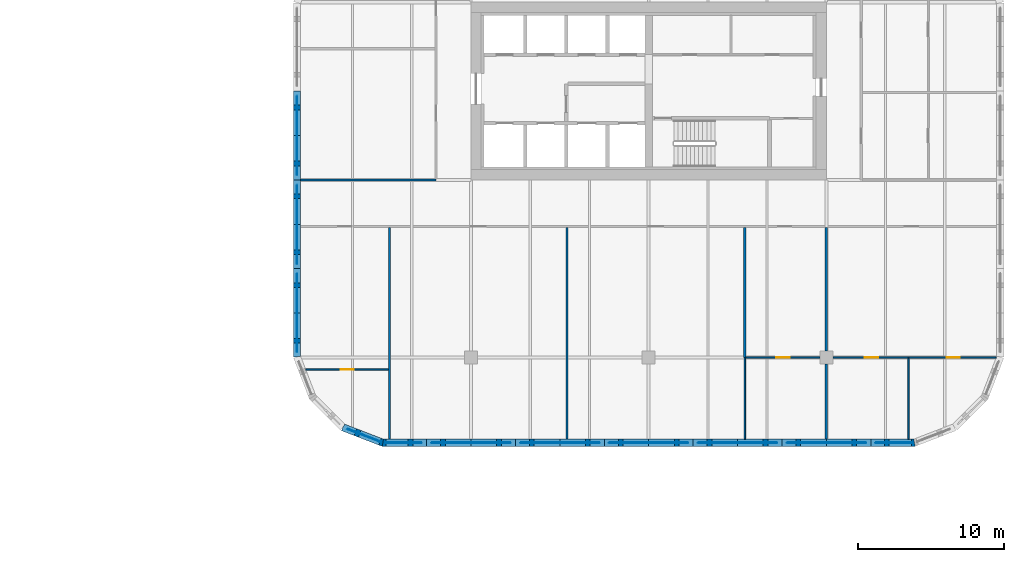
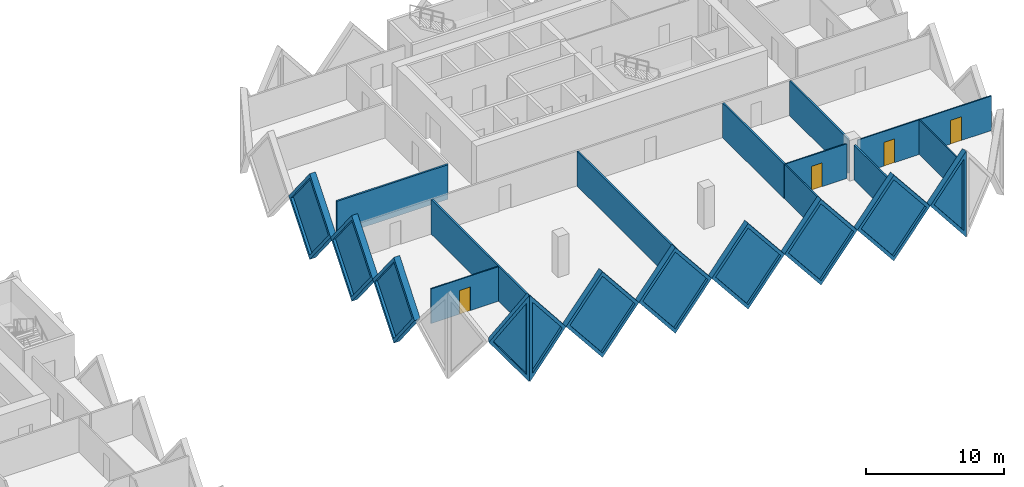
# One storey, part 11 of 18: 22 walls, 11 plates, 4 doors, 15 openings.
"""IFC4 building model written with IfcOpenShell, lengths in metres."""

from ifc_helpers import new_model, si_unit, direction, frame, frame_2d, origin, place, context, subcontext, project, spatial, polyline, rectangle, outline, extrude, faceted_brep, source, transform, mapped, material, layer, layer_set, type_object, element, fill, save


model = new_model("IFC4")

# Units and contexts
model_context = context("Model", 3, precision=1e-05, world=origin(), true_north=direction((0.0, 1.0)))
body_context = subcontext(model_context, "Body", "Model", "MODEL_VIEW")
ifc_project = project(units=[si_unit("LENGTHUNIT", "METRE"), si_unit("AREAUNIT", "SQUARE_METRE"), si_unit("VOLUMEUNIT", "CUBIC_METRE"), si_unit("PLANEANGLEUNIT", "RADIAN"), si_unit("MASSUNIT", "GRAM", prefix="KILO")], contexts=[model_context])

# Site, building, storey
site_placement = place(None, origin())
site = spatial("IfcSite", under=ifc_project, at=site_placement, CompositionType="ELEMENT")
building_placement = place(site_placement, origin())
building = spatial("IfcBuilding", under=site, at=building_placement, Name="Tessera Gate Towers", CompositionType="ELEMENT")
storey_placement = place(building_placement, frame((0.0, 0.0, 41.0)))
storey = spatial("IfcBuildingStorey", under=building, at=storey_placement, Name="L09", CompositionType="ELEMENT", Elevation=41.0)

# Walls
ifc_material_1 = material(Name="Gypsum board on steel studs, mineral wool", Category="steel")
ifc_layer_1 = layer(ifc_material_1, 0.14990234375)
ifc_layer_set_1 = layer_set([ifc_layer_1], Name="CORRIDOR WALL 150")
wall_type_1 = type_object("IfcWallType", Name="CORRIDOR WALL 150", PredefinedType="PARTITIONING", material=ifc_layer_set_1)
wall_1_placement = place(storey_placement, frame((85.89990234375, 36.60009765625, 0.0), z_axis=(0.0, 0.0, 1.0), x_axis=(1.0, 0.0, 0.0)))
element("IfcWall", 1, at=wall_1_placement, inside=storey, type_object=wall_type_1, Name="T2-L09-PW-012", PredefinedType="PARTITIONING", context=body_context, shape_type="SweptSolid", body=[
    extrude(rectangle(XDim=9.300048828125, YDim=0.14990234375, at=frame_2d((4.64990234375, 0.0))), origin(), (0.0, 0.0, 1.0), 3.06689453125),
])
ifc_material_2 = material(Name="Glass", Category="glass")
ifc_layer_2 = layer(ifc_material_2, 0.10009765625)
ifc_layer_set_2 = layer_set([ifc_layer_2], Name="GLAZED PARTITION 100")
wall_type_2 = type_object("IfcWallType", Name="GLAZED PARTITION 100", PredefinedType="PARTITIONING", material=ifc_layer_set_2)
wall_2_placement = place(storey_placement, frame((116.39990234375, 18.800048828125, 0.0), z_axis=(0.0, 0.0, 1.0), x_axis=(0.0, 1.0, 0.0)))
element("IfcWall", 2, at=wall_2_placement, inside=storey, type_object=wall_type_2, Name="T2-L09-PW-003", PredefinedType="PARTITIONING", context=body_context, shape_type="SweptSolid", body=[
    extrude(rectangle(XDim=5.598876953125, YDim=0.10009765625, at=frame_2d((2.79931640625, 0.0))), origin(), (0.0, 0.0, 1.0), 3.06689453125),
])

# Wall, opening, door
wall_3_placement = place(storey_placement, frame((121.549072265625, 24.39990234375, 0.0), z_axis=(0.0, 0.0, 1.0), x_axis=(-1.0, 0.0, 0.0)))
wall_3 = element("IfcWall", 3, at=wall_3_placement, inside=storey, type_object=wall_type_2, Name="T2-L09-PW-008", PredefinedType="PARTITIONING", context=body_context, shape_type="SweptSolid", body=[
    extrude(rectangle(XDim=5.072998046875, YDim=0.10009765625, at=frame_2d((2.53662109375, 0.0))), origin(), (0.0, 0.0, 1.0), 3.06689453125),
])
shared_shape_1 = source(origin(), body_context, "Body", "SweptSolid", [
    extrude(rectangle(XDim=0.89990234375, YDim=2.10009765625, at=frame_2d((0.449951171875, 1.050048828125))), frame((0.0, 0.06005859375, 0.0), z_axis=(0.0, -1.0, 0.0), x_axis=(1.0, 0.0, 0.0)), (0.0, 0.0, 1.0), 0.1201171875),
])
opening_1_placement = place(wall_3_placement, frame((2.072998046875, 0.0, 0.0)))
opening_1 = element("IfcOpeningElement", 4, at=opening_1_placement, cuts=wall_3, Name="Opening D690-B04-01", PredefinedType="OPENING", context=body_context, shape_type="MappedRepresentation", body=[
    mapped(shared_shape_1, transform((0.0, 0.0, 0.0), scale=1.0)),
])
ifc_material_3 = material(Name="Glass in aluminium frame", Category="aluminium")
door_type_1 = type_object("IfcDoorType", Name="GLAZED DOOR 900 NOT RATED", OperationType="NOTDEFINED", PredefinedType="DOOR", material=ifc_material_3)
shared_shape_2 = source(origin(), body_context, "Body", "SweptSolid", [
    extrude(rectangle(XDim=0.89990234375, YDim=2.10009765625, at=frame_2d((0.449951171875, 1.050048828125))), frame((0.0, 0.02490234375, 0.0), z_axis=(0.0, -1.0, 0.0), x_axis=(1.0, 0.0, 0.0)), (0.0, 0.0, 1.0), 0.050048828125),
])
door_1_placement = place(opening_1_placement, origin())
door_1 = element("IfcDoor", 5, at=door_1_placement, inside=storey, type_object=door_type_1, Name="T2-L09-PD-002", OperationType="SINGLE_SWING_RIGHT", OverallHeight=2.10009765625, OverallWidth=0.89990234375, PredefinedType="DOOR", context=body_context, shape_type="MappedRepresentation", body=[
    mapped(shared_shape_2, transform((0.0, 0.0, 0.0), scale=1.0)),
])
fill(opening_1, door_1)

# Wall
ifc_material_4 = material(Name="Gypsum board on steel studs", Category="steel")
ifc_layer_3 = layer(ifc_material_4, 0.10009765625)
ifc_layer_set_3 = layer_set([ifc_layer_3], Name="PARTITION 100")
wall_type_3 = type_object("IfcWallType", Name="PARTITION 100", PredefinedType="PARTITIONING", material=ifc_layer_set_3)
wall_4_placement = place(storey_placement, frame((127.652099609375, 18.800048828125, 0.0), z_axis=(0.0, 0.0, 1.0), x_axis=(0.0, 1.0, 0.0)))
element("IfcWall", 6, at=wall_4_placement, inside=storey, type_object=wall_type_3, Name="T2-L09-PW-005", PredefinedType="PARTITIONING", context=body_context, shape_type="SweptSolid", body=[
    extrude(rectangle(XDim=5.549072265625, YDim=0.10009765625, at=frame_2d((2.7744140625, 0.0))), origin(), (0.0, 0.0, 1.0), 3.06689453125),
])

# Wall, opening, door
wall_5_placement = place(storey_placement, frame((91.924072265625, 23.574951171875, 0.0), z_axis=(0.0, 0.0, 1.0), x_axis=(-1.0, 0.0, 0.0)))
wall_5 = element("IfcWall", 7, at=wall_5_placement, inside=storey, type_object=wall_type_3, Name="T2-L09-PW-006", PredefinedType="PARTITIONING", context=body_context, shape_type="SweptSolid", body=[
    extrude(rectangle(XDim=5.669921875, YDim=0.10009765625, at=frame_2d((2.8349609375, 0.0))), origin(), (0.0, 0.0, 1.0), 3.06689453125),
])
opening_2_placement = place(wall_5_placement, frame((2.369873046875, 0.0, 0.0)))
opening_2 = element("IfcOpeningElement", 8, at=opening_2_placement, cuts=wall_5, Name="Opening D190-B04-02", PredefinedType="OPENING", context=body_context, shape_type="MappedRepresentation", body=[
    mapped(shared_shape_1, transform((0.0, 0.0, 0.0), scale=1.0)),
])
ifc_material_5 = material(Name="Timber door leaf in steel frame", Category="steel")
door_type_2 = type_object("IfcDoorType", Name="INTERNAL DOOR 900 NOT RATED", OperationType="NOTDEFINED", PredefinedType="DOOR", material=ifc_material_5)
door_2_placement = place(opening_2_placement, origin())
door_2 = element("IfcDoor", 9, at=door_2_placement, inside=storey, type_object=door_type_2, Name="T2-L09-PD-006", OperationType="SINGLE_SWING_RIGHT", OverallHeight=2.10009765625, OverallWidth=0.89990234375, PredefinedType="DOOR", context=body_context, shape_type="MappedRepresentation", body=[
    mapped(shared_shape_2, transform((0.0, 0.0, 0.0), scale=1.0)),
])
fill(opening_2, door_2)

# Wall, openings, doors
wall_6_placement = place(storey_placement, frame((133.6640625, 24.39990234375, 0.0), z_axis=(0.0, 0.0, 1.0), x_axis=(-1.0, 0.0, 0.0)))
wall_6 = element("IfcWall", 10, at=wall_6_placement, inside=storey, type_object=wall_type_3, Name="T2-L09-PW-009", PredefinedType="PARTITIONING", context=body_context, shape_type="SweptSolid", body=[
    extrude(rectangle(XDim=11.213134765625, YDim=0.10009765625, at=frame_2d((5.6064453125, 0.0))), origin(), (0.0, 0.0, 1.0), 3.06689453125),
])
opening_3_placement = place(wall_6_placement, frame((8.113037109375, 0.0, 0.0)))
opening_3 = element("IfcOpeningElement", 11, at=opening_3_placement, cuts=wall_6, Name="Opening D190-B04-01", PredefinedType="OPENING", context=body_context, shape_type="MappedRepresentation", body=[
    mapped(shared_shape_1, transform((0.0, 0.0, 0.0), scale=1.0)),
])
opening_4_placement = place(wall_6_placement, frame((2.511962890625, 0.0, 0.0)))
opening_4 = element("IfcOpeningElement", 12, at=opening_4_placement, cuts=wall_6, Name="Opening D190-B04-03", PredefinedType="OPENING", context=body_context, shape_type="MappedRepresentation", body=[
    mapped(shared_shape_1, transform((0.0, 0.0, 0.0), scale=1.0)),
])
door_3_placement = place(opening_3_placement, origin())
door_3 = element("IfcDoor", 13, at=door_3_placement, inside=storey, type_object=door_type_2, Name="T2-L09-PD-003", OperationType="SINGLE_SWING_RIGHT", OverallHeight=2.10009765625, OverallWidth=0.89990234375, PredefinedType="DOOR", context=body_context, shape_type="MappedRepresentation", body=[
    mapped(shared_shape_2, transform((0.0, 0.0, 0.0), scale=1.0)),
])
fill(opening_3, door_3)
door_4_placement = place(opening_4_placement, origin())
door_4 = element("IfcDoor", 14, at=door_4_placement, inside=storey, type_object=door_type_2, Name="T2-L09-PD-008", OperationType="SINGLE_SWING_RIGHT", OverallHeight=2.10009765625, OverallWidth=0.89990234375, PredefinedType="DOOR", context=body_context, shape_type="MappedRepresentation", body=[
    mapped(shared_shape_2, transform((0.0, 0.0, 0.0), scale=1.0)),
])
fill(opening_4, door_4)

# Walls
ifc_material_6 = material(Name="Gypsum board on steel studs, mineral wool", Category="steel")
ifc_layer_4 = layer(ifc_material_6, 0.14990234375)
ifc_layer_set_4 = layer_set([ifc_layer_4], Name="TENANCY WALL 150")
wall_type_4 = type_object("IfcWallType", Name="TENANCY WALL 150", PredefinedType="PARTITIONING", material=ifc_layer_set_4)
for number, where, z_axis, x_axis, name in (
    (15, (92.0, 18.800048828125, 0.0), (0.0, 0.0, 1.0), (0.0, 1.0, 0.0), "T2-L09-PW-001"),
    (16, (104.199951171875, 18.800048828125, 0.0), (0.0, 0.0, 1.0), (0.0, 1.0, 0.0), "T2-L09-PW-002"),
):
    element("IfcWall", number, at=place(storey_placement, frame(where, z_axis=z_axis, x_axis=x_axis)), inside=storey, type_object=wall_type_4, Name=name, PredefinedType="PARTITIONING", context=body_context, shape_type="SweptSolid", body=[
        extrude(rectangle(XDim=14.52392578125, YDim=0.14990234375, at=frame_2d((7.261962890625, 0.0))), origin(), (0.0, 0.0, 1.0), 3.06689453125),
    ])
wall_7_placement = place(storey_placement, frame((122.0, 18.800048828125, 0.0), z_axis=(0.0, 0.0, 1.0), x_axis=(0.0, 1.0, 0.0)))
element("IfcWall", 17, at=wall_7_placement, inside=storey, type_object=wall_type_4, Name="T2-L09-PW-004", PredefinedType="PARTITIONING", context=body_context, shape_type="SweptSolid", body=[
    extrude(rectangle(XDim=5.14892578125, YDim=0.14990234375, at=frame_2d((2.574462890625, 0.0))), origin(), (0.0, 0.0, 1.0), 3.06689453125),
])
wall_8_placement = place(storey_placement, frame((116.39990234375, 24.39990234375, 0.0), z_axis=(0.0, 0.0, 1.0), x_axis=(0.0, 1.0, 0.0)))
element("IfcWall", 18, at=wall_8_placement, inside=storey, type_object=wall_type_4, Name="T2-L09-PW-007", PredefinedType="PARTITIONING", context=body_context, shape_type="SweptSolid", body=[
    extrude(rectangle(XDim=8.924072265625, YDim=0.14990234375, at=frame_2d((4.4619140625, 0.0))), origin(), (0.0, 0.0, 1.0), 3.06689453125),
])
wall_9_placement = place(storey_placement, frame((122.0, 24.85107421875, 0.0), z_axis=(0.0, 0.0, 1.0), x_axis=(0.0, 1.0, 0.0)))
element("IfcWall", 19, at=wall_9_placement, inside=storey, type_object=wall_type_4, Name="T2-L09-PW-010", PredefinedType="PARTITIONING", context=body_context, shape_type="SweptSolid", body=[
    extrude(rectangle(XDim=8.472900390625, YDim=0.14990234375, at=frame_2d((4.236328125, 0.0))), origin(), (0.0, 0.0, 1.0), 3.06689453125),
])

# Wall, opening, plate
ifc_material_7 = material(Name="Precast concrete C60/75 white", Category="concrete")
ifc_layer_5 = layer(ifc_material_7, 0.5)
ifc_layer_set_5 = layer_set([ifc_layer_5], Name="TS1 tessera")
wall_type_5 = type_object("IfcWallType", Name="TS1 tessera", PredefinedType="SOLIDWALL", material=ifc_layer_set_5)
shared_shape_3 = source(origin(), body_context, "Body", "Brep", [
    faceted_brep([(3.050048828125, -0.25, 0.0), (6.099853515625, -0.25, 3.7998046875), (6.099853515625, -0.25, 3.80029296875), (3.050048828125, -0.25, 7.60009765625), (0.0, -0.25, 3.800048828125), (0.0, 0.25, 3.800048828125), (3.050048828125, 0.25, 7.60009765625), (6.099853515625, 0.25, 3.80029296875), (6.099853515625, 0.25, 3.7998046875), (3.050048828125, 0.25, 0.0)], [[[0, 1, 2, 3, 4]], [[5, 6, 7, 8, 9]], [[9, 8, 1, 0]], [[7, 6, 3, 2]], [[6, 5, 4, 3]], [[5, 9, 0, 4]], [[1, 8, 7, 2]]]),
])
wall_10_placement = place(storey_placement, frame((94.550048828125, 18.550048828125, -3.800048828125), z_axis=(0.0, 0.0, 1.0), x_axis=(1.0, 0.0, 0.0)))
wall_10 = element("IfcWall", 20, at=wall_10_placement, inside=storey, type_object=wall_type_5, Name="Precast tessera T2 TS1-0072", PredefinedType="SOLIDWALL", context=body_context, shape_type="MappedRepresentation", body=[
    mapped(shared_shape_3, transform((0.0, 0.0, 0.0), scale=1.0)),
])
shared_shape_4 = source(origin(), body_context, "Body", "SweptSolid", [
    extrude(outline(polyline([(3.050048828125, 0.3994140625), (5.779541015625, 3.800048828125), (3.050048828125, 7.20068359375), (0.320556640625, 3.800048828125), (3.050048828125, 0.3994140625)])), frame((0.0, 0.260009765625, 0.0), z_axis=(0.0, -1.0, 0.0), x_axis=(1.0, 0.0, 0.0)), (0.0, 0.0, 1.0), 0.52001953125),
])
opening_5_placement = place(wall_10_placement, origin())
opening_5 = element("IfcOpeningElement", 21, at=opening_5_placement, cuts=wall_10, Name="Opening T2-PL2-0138", PredefinedType="OPENING", context=body_context, shape_type="MappedRepresentation", body=[
    mapped(shared_shape_4, transform((0.0, 0.0, 0.0), scale=1.0)),
])
ifc_material_8 = material(Name="Low-e laminated glass", Category="glass")
ifc_layer_6 = layer(ifc_material_8, 0.06005859375)
ifc_layer_set_6 = layer_set([ifc_layer_6], Name="PL2 rhombic pane")
plate_type = type_object("IfcPlateType", Name="PL2 rhombic pane", PredefinedType="SHEET", material=ifc_layer_set_6)
shared_shape_5 = source(origin(), body_context, "Body", "SweptSolid", [
    extrude(outline(polyline([(3.050048828125, 0.3994140625), (5.779541015625, 3.800048828125), (3.050048828125, 7.20068359375), (0.320556640625, 3.800048828125), (3.050048828125, 0.3994140625)])), frame((0.0, 0.030029296875, 0.0), z_axis=(0.0, -1.0, 0.0), x_axis=(1.0, 0.0, 0.0)), (0.0, 0.0, 1.0), 0.06005859375),
])
plate_1_placement = place(opening_5_placement, origin())
plate_1 = element("IfcPlate", 22, at=plate_1_placement, inside=storey, type_object=plate_type, Name="Glass pane T2 PL2-0138", PredefinedType="SHEET", context=body_context, shape_type="MappedRepresentation", body=[
    mapped(shared_shape_5, transform((0.0, 0.0, 0.0), scale=1.0)),
])
fill(opening_5, plate_1)

wall_11_placement = place(storey_placement, frame((112.85009765625, 18.550048828125, -3.800048828125), z_axis=(0.0, 0.0, 1.0), x_axis=(1.0, 0.0, 0.0)))
wall_11 = element("IfcWall", 23, at=wall_11_placement, inside=storey, type_object=wall_type_5, Name="Precast tessera T2 TS1-0075", PredefinedType="SOLIDWALL", context=body_context, shape_type="MappedRepresentation", body=[
    mapped(shared_shape_3, transform((0.0, 0.0, 0.0), scale=1.0)),
])
opening_6_placement = place(wall_11_placement, origin())
opening_6 = element("IfcOpeningElement", 24, at=opening_6_placement, cuts=wall_11, Name="Opening T2-PL2-0141", PredefinedType="OPENING", context=body_context, shape_type="MappedRepresentation", body=[
    mapped(shared_shape_4, transform((0.0, 0.0, 0.0), scale=1.0)),
])
plate_2_placement = place(opening_6_placement, origin())
plate_2 = element("IfcPlate", 25, at=plate_2_placement, inside=storey, type_object=plate_type, Name="Glass pane T2 PL2-0141", PredefinedType="SHEET", context=body_context, shape_type="MappedRepresentation", body=[
    mapped(shared_shape_5, transform((0.0, 0.0, 0.0), scale=1.0)),
])
fill(opening_6, plate_2)

wall_12_placement = place(storey_placement, frame((85.64990234375, 42.699951171875, -3.800048828125), z_axis=(0.0, 0.0, 1.0), x_axis=(0.0, -1.0, 0.0)))
wall_12 = element("IfcWall", 26, at=wall_12_placement, inside=storey, type_object=wall_type_5, Name="Precast tessera T2 TS1-0087", PredefinedType="SOLIDWALL", context=body_context, shape_type="MappedRepresentation", body=[
    mapped(shared_shape_3, transform((0.0, 0.0, 0.0), scale=1.0)),
])
opening_7_placement = place(wall_12_placement, origin())
opening_7 = element("IfcOpeningElement", 27, at=opening_7_placement, cuts=wall_12, Name="Opening T2-PL2-0165", PredefinedType="OPENING", context=body_context, shape_type="MappedRepresentation", body=[
    mapped(shared_shape_4, transform((0.0, 0.0, 0.0), scale=1.0)),
])
plate_3_placement = place(opening_7_placement, origin())
plate_3 = element("IfcPlate", 28, at=plate_3_placement, inside=storey, type_object=plate_type, Name="Glass pane T2 PL2-0165", PredefinedType="SHEET", context=body_context, shape_type="MappedRepresentation", body=[
    mapped(shared_shape_5, transform((0.0, 0.0, 0.0), scale=1.0)),
])
fill(opening_7, plate_3)

shared_shape_6 = source(origin(), body_context, "Body", "SweptSolid", [
    extrude(outline(polyline([(3.050048828125, 0.0), (6.10009765625, 3.800048828125), (3.050048828125, 7.60009765625), (0.0, 3.800048828125), (3.050048828125, 0.0)])), frame((0.0, 0.25, 0.0), z_axis=(0.0, -1.0, 0.0), x_axis=(1.0, 0.0, 0.0)), (0.0, 0.0, 1.0), 0.5),
])
wall_13_placement = place(storey_placement, frame((100.64990234375, 18.550048828125, -3.800048828125), z_axis=(0.0, 0.0, 1.0), x_axis=(1.0, 0.0, 0.0)))
wall_13 = element("IfcWall", 29, at=wall_13_placement, inside=storey, type_object=wall_type_5, Name="Precast tessera T2 TS1-0073", PredefinedType="SOLIDWALL", context=body_context, shape_type="MappedRepresentation", body=[
    mapped(shared_shape_6, transform((0.0, 0.0, 0.0), scale=1.0)),
])
opening_8_placement = place(wall_13_placement, origin())
opening_8 = element("IfcOpeningElement", 30, at=opening_8_placement, cuts=wall_13, Name="Opening T2-PL2-0139", PredefinedType="OPENING", context=body_context, shape_type="MappedRepresentation", body=[
    mapped(shared_shape_4, transform((0.0, 0.0, 0.0), scale=1.0)),
])
plate_4_placement = place(opening_8_placement, origin())
plate_4 = element("IfcPlate", 31, at=plate_4_placement, inside=storey, type_object=plate_type, Name="Glass pane T2 PL2-0139", PredefinedType="SHEET", context=body_context, shape_type="MappedRepresentation", body=[
    mapped(shared_shape_5, transform((0.0, 0.0, 0.0), scale=1.0)),
])
fill(opening_8, plate_4)

wall_14_placement = place(storey_placement, frame((106.75, 18.550048828125, -3.800048828125), z_axis=(0.0, 0.0, 1.0), x_axis=(1.0, 0.0, 0.0)))
wall_14 = element("IfcWall", 32, at=wall_14_placement, inside=storey, type_object=wall_type_5, Name="Precast tessera T2 TS1-0074", PredefinedType="SOLIDWALL", context=body_context, shape_type="MappedRepresentation", body=[
    mapped(shared_shape_6, transform((0.0, 0.0, 0.0), scale=1.0)),
])
opening_9_placement = place(wall_14_placement, origin())
opening_9 = element("IfcOpeningElement", 33, at=opening_9_placement, cuts=wall_14, Name="Opening T2-PL2-0140", PredefinedType="OPENING", context=body_context, shape_type="MappedRepresentation", body=[
    mapped(shared_shape_4, transform((0.0, 0.0, 0.0), scale=1.0)),
])
plate_5_placement = place(opening_9_placement, origin())
plate_5 = element("IfcPlate", 34, at=plate_5_placement, inside=storey, type_object=plate_type, Name="Glass pane T2 PL2-0140", PredefinedType="SHEET", context=body_context, shape_type="MappedRepresentation", body=[
    mapped(shared_shape_5, transform((0.0, 0.0, 0.0), scale=1.0)),
])
fill(opening_9, plate_5)

wall_15_placement = place(storey_placement, frame((118.949951171875, 18.550048828125, -3.800048828125), z_axis=(0.0, 0.0, 1.0), x_axis=(1.0, 0.0, 0.0)))
wall_15 = element("IfcWall", 35, at=wall_15_placement, inside=storey, type_object=wall_type_5, Name="Precast tessera T2 TS1-0076", PredefinedType="SOLIDWALL", context=body_context, shape_type="MappedRepresentation", body=[
    mapped(shared_shape_6, transform((0.0, 0.0, 0.0), scale=1.0)),
])
opening_10_placement = place(wall_15_placement, origin())
opening_10 = element("IfcOpeningElement", 36, at=opening_10_placement, cuts=wall_15, Name="Opening T2-PL2-0142", PredefinedType="OPENING", context=body_context, shape_type="MappedRepresentation", body=[
    mapped(shared_shape_4, transform((0.0, 0.0, 0.0), scale=1.0)),
])
plate_6_placement = place(opening_10_placement, origin())
plate_6 = element("IfcPlate", 37, at=plate_6_placement, inside=storey, type_object=plate_type, Name="Glass pane T2 PL2-0142", PredefinedType="SHEET", context=body_context, shape_type="MappedRepresentation", body=[
    mapped(shared_shape_5, transform((0.0, 0.0, 0.0), scale=1.0)),
])
fill(opening_10, plate_6)

wall_16_placement = place(storey_placement, frame((85.64990234375, 36.60009765625, -3.800048828125), z_axis=(0.0, 0.0, 1.0), x_axis=(0.0, -1.0, 0.0)))
wall_16 = element("IfcWall", 38, at=wall_16_placement, inside=storey, type_object=wall_type_5, Name="Precast tessera T2 TS1-0088", PredefinedType="SOLIDWALL", context=body_context, shape_type="MappedRepresentation", body=[
    mapped(shared_shape_6, transform((0.0, 0.0, 0.0), scale=1.0)),
])
opening_11_placement = place(wall_16_placement, origin())
opening_11 = element("IfcOpeningElement", 39, at=opening_11_placement, cuts=wall_16, Name="Opening T2-PL2-0166", PredefinedType="OPENING", context=body_context, shape_type="MappedRepresentation", body=[
    mapped(shared_shape_4, transform((0.0, 0.0, 0.0), scale=1.0)),
])
plate_7_placement = place(opening_11_placement, origin())
plate_7 = element("IfcPlate", 40, at=plate_7_placement, inside=storey, type_object=plate_type, Name="Glass pane T2 PL2-0166", PredefinedType="SHEET", context=body_context, shape_type="MappedRepresentation", body=[
    mapped(shared_shape_5, transform((0.0, 0.0, 0.0), scale=1.0)),
])
fill(opening_11, plate_7)

shared_shape_7 = source(origin(), body_context, "Body", "Brep", [
    faceted_brep([(3.050048828125, -0.25, 0.0), (6.053466796875, -0.25, 3.800048828125), (3.050048828125, -0.25, 7.60009765625), (0.0, -0.25, 3.800048828125), (0.0, 0.25, 3.800048828125), (3.050048828125, 0.25, 7.60009765625), (6.0068359375, 0.25, 3.85888671875), (6.0068359375, 0.25, 3.7412109375), (3.050048828125, 0.25, 0.0), (6.053466796875, 0.0, 3.800048828125)], [[[0, 1, 2, 3]], [[4, 5, 6, 7, 8]], [[8, 7, 9, 1, 0]], [[6, 5, 2, 1, 9]], [[5, 4, 3, 2]], [[4, 8, 0, 3]], [[9, 7, 6]]]),
])
wall_17_placement = place(storey_placement, frame((85.64990234375, 30.5, -3.800048828125), z_axis=(0.0, 0.0, 1.0), x_axis=(0.0, -1.0, 0.0)))
wall_17 = element("IfcWall", 41, at=wall_17_placement, inside=storey, type_object=wall_type_5, Name="Precast tessera T2 TS1-0089", PredefinedType="SOLIDWALL", context=body_context, shape_type="MappedRepresentation", body=[
    mapped(shared_shape_7, transform((0.0, 0.0, 0.0), scale=1.0)),
])
shared_shape_8 = source(origin(), body_context, "Body", "SweptSolid", [
    extrude(outline(polyline([(3.048583984375, 0.4013671875), (5.73486328125, 3.800048828125), (3.048583984375, 7.19873046875), (0.320556640625, 3.800048828125), (3.048583984375, 0.4013671875)])), frame((0.0, 0.260009765625, 0.0), z_axis=(0.0, -1.0, 0.0), x_axis=(1.0, 0.0, 0.0)), (0.0, 0.0, 1.0), 0.52001953125),
])
opening_12_placement = place(wall_17_placement, origin())
opening_12 = element("IfcOpeningElement", 42, at=opening_12_placement, cuts=wall_17, Name="Opening T2-PL2-0167", PredefinedType="OPENING", context=body_context, shape_type="MappedRepresentation", body=[
    mapped(shared_shape_8, transform((0.0, 0.0, 0.0), scale=1.0)),
])
shared_shape_9 = source(origin(), body_context, "Body", "SweptSolid", [
    extrude(outline(polyline([(3.048583984375, 0.4013671875), (5.73486328125, 3.800048828125), (3.048583984375, 7.19873046875), (0.320556640625, 3.800048828125), (3.048583984375, 0.4013671875)])), frame((0.0, 0.030029296875, 0.0), z_axis=(0.0, -1.0, 0.0), x_axis=(1.0, 0.0, 0.0)), (0.0, 0.0, 1.0), 0.06005859375),
])
plate_8_placement = place(opening_12_placement, origin())
plate_8 = element("IfcPlate", 43, at=plate_8_placement, inside=storey, type_object=plate_type, Name="Glass pane T2 PL2-0167", PredefinedType="SHEET", context=body_context, shape_type="MappedRepresentation", body=[
    mapped(shared_shape_9, transform((0.0, 0.0, 0.0), scale=1.0)),
])
fill(opening_12, plate_8)

ifc_material_9 = material(Name="Precast concrete C60/75 white", Category="concrete")
ifc_layer_7 = layer(ifc_material_9, 0.5)
ifc_layer_set_7 = layer_set([ifc_layer_7], Name="TS3 corner tessera")
wall_type_6 = type_object("IfcWallType", Name="TS3 corner tessera", PredefinedType="SOLIDWALL", material=ifc_layer_set_7)
shared_shape_10 = source(origin(), body_context, "Body", "Brep", [
    faceted_brep([(0.046630859375, -0.25, 0.0), (3.050048828125, -0.25, 3.800048828125), (0.046630859375, -0.25, 7.60009765625), (0.0, -0.25, 7.5400390625), (0.0, -0.25, 0.06005859375), (0.09326171875, 0.25, 7.541259765625), (3.050048828125, 0.25, 3.800048828125), (0.09326171875, 0.25, 0.058837890625), (0.046630859375, 0.0, 0.0), (0.046630859375, 0.0, 7.60009765625)], [[[0, 1, 2, 3, 4]], [[5, 6, 7]], [[7, 6, 1, 0, 8]], [[6, 5, 9, 2, 1]], [[3, 2, 9]], [[8, 0, 4]], [[7, 8, 4, 3, 9, 5]]]),
])
wall_18_placement = place(storey_placement, frame((91.5, 18.550048828125, -3.800048828125), z_axis=(0.0, 0.0, 1.0), x_axis=(1.0, 0.0, 0.0)))
wall_18 = element("IfcWall", 44, at=wall_18_placement, inside=storey, type_object=wall_type_6, Name="Precast corner tessera T2 TS3-0113", PredefinedType="SOLIDWALL", context=body_context, shape_type="MappedRepresentation", body=[
    mapped(shared_shape_10, transform((0.0, 0.0, 0.0), scale=1.0)),
])
shared_shape_11 = source(origin(), body_context, "Body", "SweptSolid", [
    extrude(outline(polyline([(0.24658203125, 0.65625), (2.7314453125, 3.800048828125), (0.24658203125, 6.94384765625), (0.24658203125, 0.65625)])), frame((0.0, 0.260009765625, 0.0), z_axis=(0.0, -1.0, 0.0), x_axis=(1.0, 0.0, 0.0)), (0.0, 0.0, 1.0), 0.52001953125),
])
opening_13_placement = place(wall_18_placement, origin())
opening_13 = element("IfcOpeningElement", 45, at=opening_13_placement, cuts=wall_18, Name="Opening T2-PL2-0136", PredefinedType="OPENING", context=body_context, shape_type="MappedRepresentation", body=[
    mapped(shared_shape_11, transform((0.0, 0.0, 0.0), scale=1.0)),
])
shared_shape_12 = source(origin(), body_context, "Body", "SweptSolid", [
    extrude(outline(polyline([(0.24658203125, 0.65625), (2.7314453125, 3.800048828125), (0.24658203125, 6.94384765625), (0.24658203125, 0.65625)])), frame((0.0, 0.030029296875, 0.0), z_axis=(0.0, -1.0, 0.0), x_axis=(1.0, 0.0, 0.0)), (0.0, 0.0, 1.0), 0.06005859375),
])
plate_9_placement = place(opening_13_placement, origin())
plate_9 = element("IfcPlate", 46, at=plate_9_placement, inside=storey, type_object=plate_type, Name="Glass pane T2 PL2-0136", PredefinedType="SHEET", context=body_context, shape_type="MappedRepresentation", body=[
    mapped(shared_shape_12, transform((0.0, 0.0, 0.0), scale=1.0)),
])
fill(opening_13, plate_9)

shared_shape_13 = source(origin(), body_context, "Body", "Brep", [
    faceted_brep([(3.00341796875, -0.25, 0.0), (3.050048828125, -0.25, 0.06005859375), (3.050048828125, -0.25, 7.5400390625), (3.00341796875, -0.25, 7.60009765625), (0.0, -0.25, 3.800048828125), (0.0, 0.25, 3.800048828125), (2.956787109375, 0.25, 7.541259765625), (2.956787109375, 0.25, 0.058837890625), (3.00341796875, 0.000244140625, 0.0), (3.00341796875, 0.000244140625, 7.60009765625)], [[[0, 1, 2, 3, 4]], [[5, 6, 7]], [[1, 0, 8]], [[9, 3, 2]], [[6, 5, 4, 3, 9]], [[5, 7, 8, 0, 4]], [[1, 8, 7, 6, 9, 2]]]),
])
wall_19_placement = place(storey_placement, frame((125.050048828125, 18.550048828125, -3.800048828125), z_axis=(0.0, 0.0, 1.0), x_axis=(1.0, 0.0, 0.0)))
wall_19 = element("IfcWall", 47, at=wall_19_placement, inside=storey, type_object=wall_type_6, Name="Precast corner tessera T2 TS3-0115", PredefinedType="SOLIDWALL", context=body_context, shape_type="MappedRepresentation", body=[
    mapped(shared_shape_13, transform((0.0, 0.0, 0.0), scale=1.0)),
])
shared_shape_14 = source(origin(), body_context, "Body", "SweptSolid", [
    extrude(outline(polyline([(2.803466796875, 6.94384765625), (0.318603515625, 3.800048828125), (2.803466796875, 0.65625), (2.803466796875, 6.94384765625)])), frame((0.0, 0.260009765625, 0.0), z_axis=(0.0, -1.0, 0.0), x_axis=(1.0, 0.0, 0.0)), (0.0, 0.0, 1.0), 0.52001953125),
])
opening_14_placement = place(wall_19_placement, origin())
opening_14 = element("IfcOpeningElement", 48, at=opening_14_placement, cuts=wall_19, Name="Opening T2-PL2-0143", PredefinedType="OPENING", context=body_context, shape_type="MappedRepresentation", body=[
    mapped(shared_shape_14, transform((0.0, 0.0, 0.0), scale=1.0)),
])
shared_shape_15 = source(origin(), body_context, "Body", "SweptSolid", [
    extrude(outline(polyline([(2.803466796875, 6.94384765625), (0.318603515625, 3.800048828125), (2.803466796875, 0.65625), (2.803466796875, 6.94384765625)])), frame((0.0, 0.030029296875, 0.0), z_axis=(0.0, -1.0, 0.0), x_axis=(1.0, 0.0, 0.0)), (0.0, 0.0, 1.0), 0.06005859375),
])
plate_10_placement = place(opening_14_placement, origin())
plate_10 = element("IfcPlate", 49, at=plate_10_placement, inside=storey, type_object=plate_type, Name="Glass pane T2 PL2-0143", PredefinedType="SHEET", context=body_context, shape_type="MappedRepresentation", body=[
    mapped(shared_shape_15, transform((0.0, 0.0, 0.0), scale=1.0)),
])
fill(opening_14, plate_10)

shared_shape_16 = source(origin(), body_context, "Body", "Brep", [
    faceted_brep([(2.950439453125, -0.25, 0.0), (2.9970703125, -0.25, 0.05908203125), (2.9970703125, -0.25, 7.541015625), (2.950439453125, -0.25, 7.60009765625), (0.0, -0.25, 3.800048828125), (0.052978515625, 0.25, 3.8681640625), (2.904052734375, 0.25, 7.540283203125), (2.904052734375, 0.25, 0.059814453125), (0.052978515625, 0.25, 3.73193359375), (2.950439453125, 0.00048828125, 0.0), (2.950439453125, 0.00048828125, 7.60009765625), (0.0, 0.0, 3.800048828125)], [[[0, 1, 2, 3, 4]], [[5, 6, 7, 8]], [[1, 0, 9]], [[10, 3, 2]], [[6, 5, 11, 4, 3, 10]], [[8, 7, 9, 0, 4, 11]], [[8, 11, 5]], [[1, 9, 7, 6, 10, 2]]]),
])
wall_20_placement = place(storey_placement, frame((88.793701171875, 19.61181640625, -3.800048828125), z_axis=(0.0, 0.0, 1.0), x_axis=(0.933000876937, -0.359874094142, 0.0)))
wall_20 = element("IfcWall", 50, at=wall_20_placement, inside=storey, type_object=wall_type_6, Name="Precast corner tessera T2 TS3-0114", PredefinedType="SOLIDWALL", context=body_context, shape_type="MappedRepresentation", body=[
    mapped(shared_shape_16, transform((0.0, 0.0, 0.0), scale=1.0)),
])
shared_shape_17 = source(origin(), body_context, "Body", "SweptSolid", [
    extrude(outline(polyline([(2.75048828125, 6.934814453125), (0.31640625, 3.800048828125), (2.75048828125, 0.665283203125), (2.75048828125, 6.934814453125)])), frame((0.0, 0.260009765625, 0.0), z_axis=(0.0, -1.0, 0.0), x_axis=(1.0, 0.0, 0.0)), (0.0, 0.0, 1.0), 0.52001953125),
])
opening_15_placement = place(wall_20_placement, origin())
opening_15 = element("IfcOpeningElement", 51, at=opening_15_placement, cuts=wall_20, Name="Opening T2-PL2-0137", PredefinedType="OPENING", context=body_context, shape_type="MappedRepresentation", body=[
    mapped(shared_shape_17, transform((0.0, 0.0, 0.0), scale=1.0)),
])
shared_shape_18 = source(origin(), body_context, "Body", "SweptSolid", [
    extrude(outline(polyline([(2.75048828125, 6.934814453125), (0.31640625, 3.800048828125), (2.75048828125, 0.665283203125), (2.75048828125, 6.934814453125)])), frame((0.0, 0.030029296875, 0.0), z_axis=(0.0, -1.0, 0.0), x_axis=(1.0, 0.0, 0.0)), (0.0, 0.0, 1.0), 0.06005859375),
])
plate_11_placement = place(opening_15_placement, origin())
plate_11 = element("IfcPlate", 52, at=plate_11_placement, inside=storey, type_object=plate_type, Name="Glass pane T2 PL2-0137", PredefinedType="SHEET", context=body_context, shape_type="MappedRepresentation", body=[
    mapped(shared_shape_18, transform((0.0, 0.0, 0.0), scale=1.0)),
])
fill(opening_15, plate_11)

save(model, "model.ifc")
